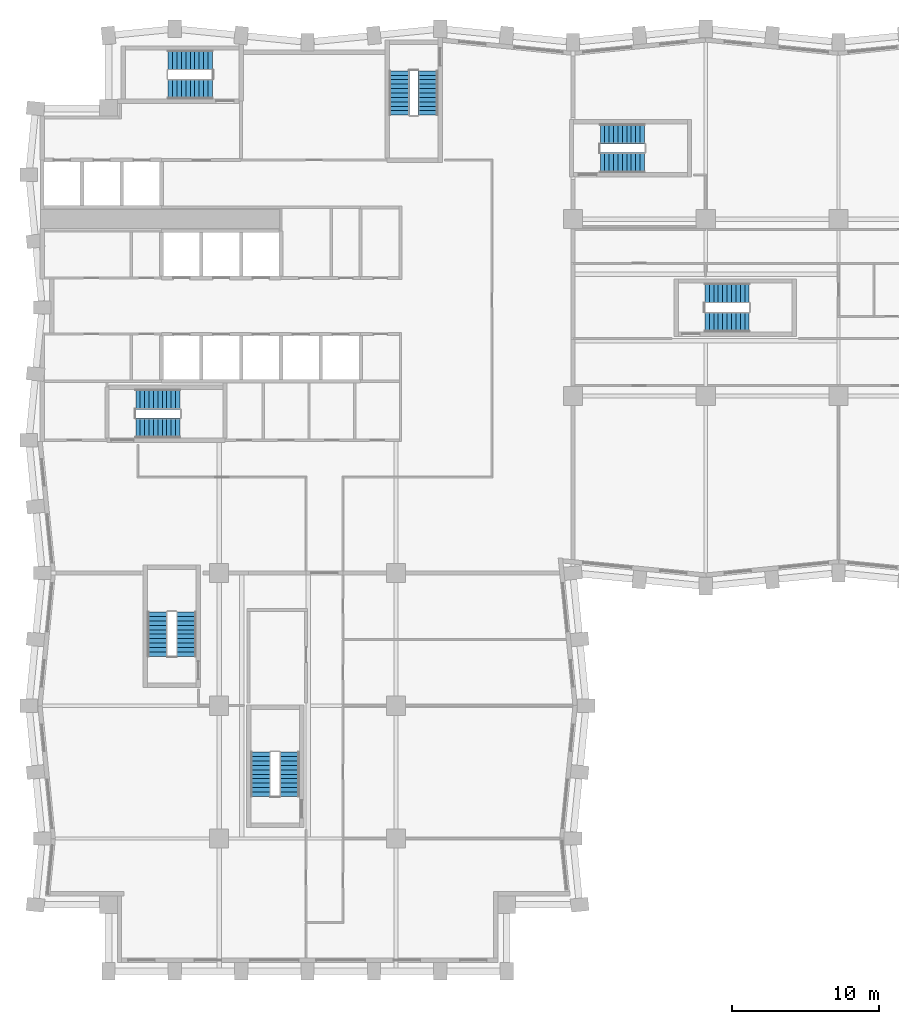
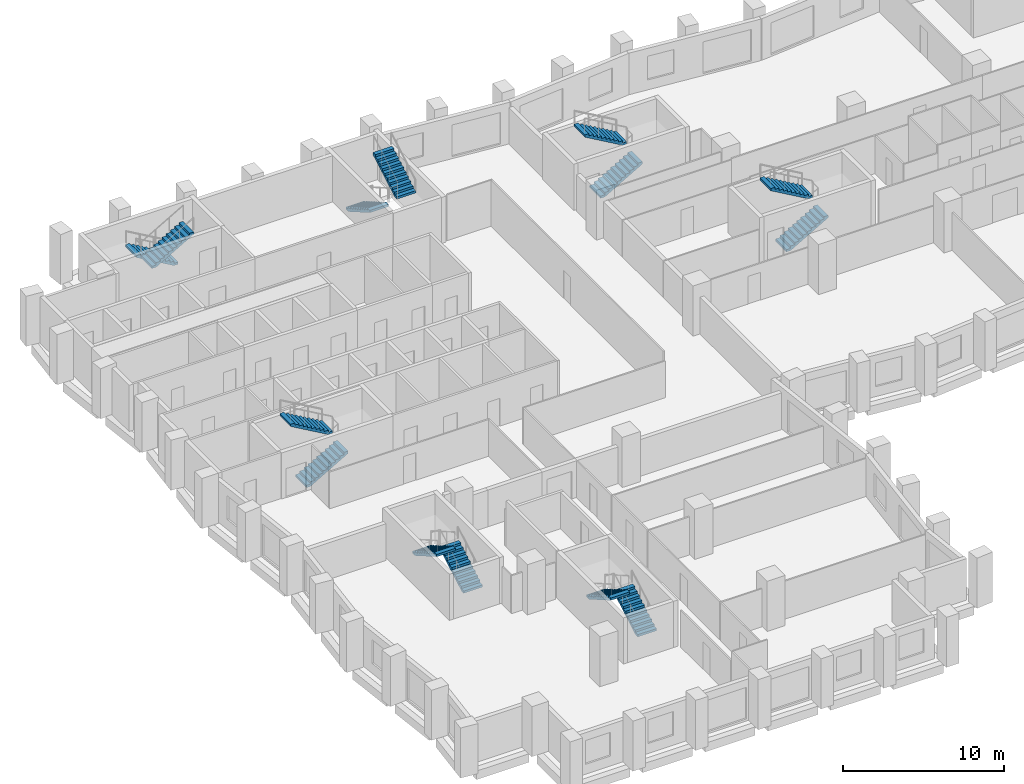
# One storey, part 9 of 11: 14 stair flights, 7 elements without a shape of their own.
"""IFC4 building model written with IfcOpenShell, lengths in metres."""

import ifcopenshell
import ifcopenshell.guid

model = None  # the IFC model being written
_history = None  # IfcOwnerHistory: only IFC2X3 demands one
_inside = {}  # id of a spatial element -> (the spatial element, [elements in it])
_under = {}  # id of a project, library or spatial element -> (it, [spatial elements below it])
_declared = {}  # id of a project -> (the project, [libraries it declares])
_typed = {}  # id of a type object -> (the type object, [elements of that type])
_made_of = {}  # id of a material, layer set ... -> (it, [elements and type objects made of it])


def new_model(schema):
    """Start an empty IFC model of exactly this schema.

    Asked for "IFC4X3", IfcOpenShell would pick the latest addendum, in which some entities
    have other attributes; the version numbers below select the first issue.
    IFC2X3 requires an IfcOwnerHistory on every rooted entity: one is made here for all.
    """
    global model, _history
    if schema == "IFC4X3":
        model = ifcopenshell.file(schema_version=(4, 3, 0, 0))
    else:
        model = ifcopenshell.file(schema=schema)
    _inside.clear()
    _under.clear()
    _declared.clear()
    _typed.clear()
    _made_of.clear()
    _history = None
    if model.schema == "IFC2X3":
        org = make("IfcOrganization", Name="unknown")
        user = make(
            "IfcPersonAndOrganization",
            ThePerson=make("IfcPerson", FamilyName="unknown"),
            TheOrganization=org,
        )
        app = make(
            "IfcApplication",
            ApplicationDeveloper=org,
            Version="unknown",
            ApplicationFullName="unknown",
            ApplicationIdentifier="unknown",
        )
        _history = make(
            "IfcOwnerHistory",
            OwningUser=user,
            OwningApplication=app,
            ChangeAction="ADDED",
            CreationDate=0,
        )
    return model


def make(cls, **values):
    """One entity of the class cls with the attributes given. An attribute that is None is left unset."""
    return model.create_entity(
        cls, **{name: value for name, value in values.items() if value is not None}
    )


def rooted(cls, **values):
    """An entity with a GlobalId (a new one), such as an element, a storey or a relation."""
    return make(cls, GlobalId=ifcopenshell.guid.new(), OwnerHistory=_history, **values)


def si_unit(unit_type, name, prefix=None):
    """IfcSIUnit, for example si_unit("LENGTHUNIT", "METRE", prefix="MILLI")."""
    return make("IfcSIUnit", UnitType=unit_type, Prefix=prefix, Name=name)


def assignment(units):
    """IfcUnitAssignment: the units of a project."""
    return None if units is None else make("IfcUnitAssignment", Units=units)


def point(xyz):
    """IfcCartesianPoint."""
    return None if xyz is None else make("IfcCartesianPoint", Coordinates=xyz)


def direction(xyz):
    """IfcDirection."""
    return None if xyz is None else make("IfcDirection", DirectionRatios=xyz)


def frame(location, z_axis=None, x_axis=None):
    """IfcAxis2Placement3D, a coordinate frame: its origin and axes. An axis left out is left unset."""
    return make(
        "IfcAxis2Placement3D",
        Location=point(location),
        Axis=direction(z_axis),
        RefDirection=direction(x_axis),
    )


def origin():
    """The frame at (0, 0, 0) with its axes left unset."""
    return frame((0.0, 0.0, 0.0))


def place(relative_to, where):
    """IfcLocalPlacement: puts the frame where relative to a parent placement (None: the world)."""
    return make(
        "IfcLocalPlacement", PlacementRelTo=relative_to, RelativePlacement=where
    )


def context(
    kind, dimensions, precision=None, world=None, true_north=None, identifier=None
):
    """IfcGeometricRepresentationContext, for example the 3D "Model" context."""
    return make(
        "IfcGeometricRepresentationContext",
        ContextIdentifier=identifier,
        ContextType=kind,
        CoordinateSpaceDimension=dimensions,
        Precision=precision,
        WorldCoordinateSystem=world,
        TrueNorth=true_north,
    )


def subcontext(parent, identifier, kind, view, scale=None):
    """IfcGeometricRepresentationSubContext, for example "Body" below "Model"."""
    return make(
        "IfcGeometricRepresentationSubContext",
        ContextIdentifier=identifier,
        ContextType=kind,
        ParentContext=parent,
        TargetScale=scale,
        TargetView=view,
    )


def project(units=None, contexts=None):
    """IfcProject with its units and contexts."""
    return rooted(
        "IfcProject",
        Name="project",
        RepresentationContexts=contexts,
        UnitsInContext=assignment(units),
    )


def spatial(cls, under=None, at=None, **own):
    """A site, building, storey or space (cls), placed at a placement, below another one or the project."""
    s = rooted(cls, ObjectPlacement=at, **own)
    if under is not None:
        _under.setdefault(under.id(), (under, []))[1].append(s)
    return s


def polyline(points):
    """IfcPolyline through the points."""
    return make("IfcPolyline", Points=[point(p) for p in points])


def outline(outer, holes=None, kind="AREA"):
    """IfcArbitraryClosedProfileDef: a profile drawn as a closed curve; with holes, ...WithVoids."""
    if holes is None:
        return make("IfcArbitraryClosedProfileDef", ProfileType=kind, OuterCurve=outer)
    return make(
        "IfcArbitraryProfileDefWithVoids",
        ProfileType=kind,
        OuterCurve=outer,
        InnerCurves=holes,
    )


def extrude(swept, where, along, depth):
    """IfcExtrudedAreaSolid: the profile swept, set in the frame where, extruded along a direction by depth."""
    return make(
        "IfcExtrudedAreaSolid",
        SweptArea=swept,
        Position=where,
        ExtrudedDirection=direction(along),
        Depth=depth,
    )


def shape(context_of_items, identifier, shape_type, items):
    """IfcShapeRepresentation: the items that make up one representation, for example the "Body"."""
    return make(
        "IfcShapeRepresentation",
        ContextOfItems=context_of_items,
        RepresentationIdentifier=identifier,
        RepresentationType=shape_type,
        Items=items,
    )


def material(Name=None, Category=None):
    """IfcMaterial."""
    return make("IfcMaterial", Name=Name, Category=Category)


def made_of(thing, what):
    """Note that an element or type object is made of a material, layer set ...; save() writes the relation."""
    if what is not None:
        _made_of.setdefault(what.id(), (what, []))[1].append(thing)
    return thing


def type_object(cls, material=None, **own):
    """A type object (cls), such as IfcWallType, which elements share."""
    return made_of(rooted(cls, **own), material)


def element(
    cls,
    number,
    at=None,
    inside=None,
    cuts=None,
    type_object=None,
    material=None,
    context=None,
    identifier="Body",
    shape_type=None,
    held_by="IfcProductDefinitionShape",
    body=None,
    shapes=None,
    **own,
):
    """One element of the class cls, such as IfcWall. Its Tag is "e" and its number.

    at: its placement. inside: the storey or other place that contains it. cuts: it is an
    opening in that element (IfcRelVoidsElement). A single representation is given by context,
    identifier, shape_type and body (its items); several are given by shapes. held_by: the class
    of the entity that holds the representations. save() writes the other relations.
    """
    e = rooted(cls, Tag="e%d" % number, ObjectPlacement=at, **own)
    if body is not None:
        shapes = [shape(context, identifier, shape_type, body)]
    if shapes is not None:
        e.Representation = make(held_by, Representations=shapes)
    if inside is not None:
        _inside.setdefault(inside.id(), (inside, []))[1].append(e)
    if cuts is not None:
        rooted(
            "IfcRelVoidsElement", RelatingBuildingElement=cuts, RelatedOpeningElement=e
        )
    if type_object is not None:
        _typed.setdefault(type_object.id(), (type_object, []))[1].append(e)
    return made_of(e, material)


def aggregate(whole, parts):
    """IfcRelAggregates: a whole, such as a stair, and the parts it consists of."""
    return rooted("IfcRelAggregates", RelatingObject=whole, RelatedObjects=parts)


def save(model, path):
    """Write the relations noted so far, then the file.

    IfcRelAggregates (storeys below a building ...), IfcRelContainedInSpatialStructure (elements
    in a storey), IfcRelDefinesByType, IfcRelAssociatesMaterial and IfcRelDeclares: one each for
    every whole, place, type object, material and project.
    """
    for whole, parts in _under.values():
        aggregate(whole, parts)
    for where, things in _inside.values():
        rooted(
            "IfcRelContainedInSpatialStructure",
            RelatedElements=things,
            RelatingStructure=where,
        )
    for kind, things in _typed.values():
        rooted("IfcRelDefinesByType", RelatedObjects=things, RelatingType=kind)
    for what, things in _made_of.values():
        rooted("IfcRelAssociatesMaterial", RelatedObjects=things, RelatingMaterial=what)
    for by, libraries in _declared.values():
        rooted("IfcRelDeclares", RelatingContext=by, RelatedDefinitions=libraries)
    model.write(path)


model = new_model("IFC4")

# Units and contexts
model_context = context("Model", 3, precision=1e-05, world=origin(), true_north=direction((0.0, 1.0)))
body_context = subcontext(model_context, "Body", "Model", "MODEL_VIEW")
ifc_project = project(units=[si_unit("LENGTHUNIT", "METRE"), si_unit("AREAUNIT", "SQUARE_METRE"), si_unit("VOLUMEUNIT", "CUBIC_METRE"), si_unit("PLANEANGLEUNIT", "RADIAN"), si_unit("MASSUNIT", "GRAM", prefix="KILO")], contexts=[model_context])

# Site, building, storey
site_placement = place(None, origin())
site = spatial("IfcSite", under=ifc_project, at=site_placement, CompositionType="ELEMENT")
building_placement = place(site_placement, origin())
building = spatial("IfcBuilding", under=site, at=building_placement, Name="Brondeck Convention Tower", CompositionType="ELEMENT")
storey_placement = place(building_placement, frame((0.0, 0.0, 107.5)))
storey = spatial("IfcBuildingStorey", under=building, at=storey_placement, Name="L25", CompositionType="ELEMENT", Elevation=107.5)

# Stair, stair flights
ifc_material = material(Name="Precast concrete C50/60", Category="concrete")
stair_type = type_object("IfcStairType", Name="Core stair 22 risers 172.73 mm riser 300 mm going 1350 wide", PredefinedType="HALF_TURN_STAIR", material=ifc_material)
stair_1_placement = place(storey_placement, origin())
stair_1 = element("IfcStair", 1, at=stair_1_placement, inside=storey, type_object=stair_type, Name="ST-1 L25 stair", PredefinedType="HALF_TURN_STAIR")
stair_flight_type = type_object("IfcStairFlightType", Name="Core stair flight 22 risers 172.73 mm riser 300 mm going 1350 wide", PredefinedType="STRAIGHT", material=ifc_material)
stair_flight_1_placement = place(storey_placement, frame((6.35009765625, 36.824951171875, 0.0), z_axis=(0.0, 0.0, 1.0), x_axis=(1.0, 0.0, 0.0)))
stair_flight_1 = element("IfcStairFlight", 2, at=stair_flight_1_placement, type_object=stair_flight_type, Name="ST-1 flight 1", NumberOfRisers=11, NumberOfTreads=10, PredefinedType="STRAIGHT", RiserHeight=0.172727273, TreadLength=0.3, context=body_context, shape_type="SweptSolid", body=[
    extrude(outline(polyline([(0.0, 0.0), (0.0, 0.172607421875), (0.300048828125, 0.172607421875), (0.300048828125, 0.345458984375), (0.60009765625, 0.345458984375), (0.60009765625, 0.51806640625), (0.89990234375, 0.51806640625), (0.89990234375, 0.69091796875), (1.199951171875, 0.69091796875), (1.199951171875, 0.863525390625), (1.5, 0.863525390625), (1.5, 1.036376953125), (1.800048828125, 1.036376953125), (1.800048828125, 1.208984375), (2.10009765625, 1.208984375), (2.10009765625, 1.3818359375), (2.39990234375, 1.3818359375), (2.39990234375, 1.554443359375), (2.699951171875, 1.554443359375), (2.699951171875, 1.727294921875), (3.0, 1.727294921875), (3.0, 1.89990234375), (3.0, 1.55419921875), (0.300537109375, 0.0), (0.0, 0.0)])), frame((0.0, 0.675048828125, 0.0), z_axis=(0.0, -1.0, 0.0), x_axis=(1.0, 0.0, 0.0)), (0.0, 0.0, 1.0), 1.35009765625),
])
stair_flight_2_placement = place(storey_placement, frame((9.35009765625, 38.77490234375, 1.89990234375), z_axis=(0.0, 0.0, 1.0), x_axis=(-1.0, 0.0, 0.0)))
stair_flight_2 = element("IfcStairFlight", 3, at=stair_flight_2_placement, type_object=stair_flight_type, Name="ST-1 flight 2", NumberOfRisers=11, NumberOfTreads=10, PredefinedType="STRAIGHT", RiserHeight=0.172727273, TreadLength=0.3, context=body_context, shape_type="SweptSolid", body=[
    extrude(outline(polyline([(0.0, 0.0), (0.0, 0.172607421875), (0.300048828125, 0.172607421875), (0.300048828125, 0.345458984375), (0.60009765625, 0.345458984375), (0.60009765625, 0.51806640625), (0.89990234375, 0.51806640625), (0.89990234375, 0.69091796875), (1.199951171875, 0.69091796875), (1.199951171875, 0.863525390625), (1.5, 0.863525390625), (1.5, 1.036376953125), (1.800048828125, 1.036376953125), (1.800048828125, 1.208984375), (2.10009765625, 1.208984375), (2.10009765625, 1.3818359375), (2.39990234375, 1.3818359375), (2.39990234375, 1.554443359375), (2.699951171875, 1.554443359375), (2.699951171875, 1.727294921875), (3.0, 1.727294921875), (3.0, 1.89990234375), (3.0, 1.55419921875), (0.300537109375, 0.0), (0.0, 0.0)])), frame((0.0, 0.675048828125, 0.0), z_axis=(0.0, -1.0, 0.0), x_axis=(1.0, 0.0, 0.0)), (0.0, 0.0, 1.0), 1.35009765625),
])
aggregate(stair_1, [stair_flight_1, stair_flight_2])

stair_2_placement = place(storey_placement, origin())
stair_2 = element("IfcStair", 4, at=stair_2_placement, inside=storey, type_object=stair_type, Name="ST-2 L25 stair", PredefinedType="HALF_TURN_STAIR")
stair_flight_3_placement = place(storey_placement, frame((24.22509765625, 61.050048828125, 0.0), z_axis=(0.0, 0.0, 1.0), x_axis=(0.0, -1.0, 0.0)))
stair_flight_3 = element("IfcStairFlight", 5, at=stair_flight_3_placement, type_object=stair_flight_type, Name="ST-2 flight 1", NumberOfRisers=11, NumberOfTreads=10, PredefinedType="STRAIGHT", RiserHeight=0.172727273, TreadLength=0.3, context=body_context, shape_type="SweptSolid", body=[
    extrude(outline(polyline([(0.0, 0.0), (0.0, 0.172607421875), (0.300048828125, 0.172607421875), (0.300048828125, 0.345458984375), (0.60009765625, 0.345458984375), (0.60009765625, 0.51806640625), (0.89990234375, 0.51806640625), (0.89990234375, 0.69091796875), (1.199951171875, 0.69091796875), (1.199951171875, 0.863525390625), (1.5, 0.863525390625), (1.5, 1.036376953125), (1.800048828125, 1.036376953125), (1.800048828125, 1.208984375), (2.10009765625, 1.208984375), (2.10009765625, 1.3818359375), (2.39990234375, 1.3818359375), (2.39990234375, 1.554443359375), (2.699951171875, 1.554443359375), (2.699951171875, 1.727294921875), (3.0, 1.727294921875), (3.0, 1.89990234375), (3.0, 1.55419921875), (0.300537109375, 0.0), (0.0, 0.0)])), frame((0.0, 0.675048828125, 0.0), z_axis=(0.0, -1.0, 0.0), x_axis=(1.0, 0.0, 0.0)), (0.0, 0.0, 1.0), 1.35009765625),
])
stair_flight_4_placement = place(storey_placement, frame((26.175048828125, 58.050048828125, 1.89990234375), z_axis=(0.0, 0.0, 1.0), x_axis=(0.0, 1.0, 0.0)))
stair_flight_4 = element("IfcStairFlight", 6, at=stair_flight_4_placement, type_object=stair_flight_type, Name="ST-2 flight 2", NumberOfRisers=11, NumberOfTreads=10, PredefinedType="STRAIGHT", RiserHeight=0.172727273, TreadLength=0.3, context=body_context, shape_type="SweptSolid", body=[
    extrude(outline(polyline([(0.0, 0.0), (0.0, 0.172607421875), (0.300048828125, 0.172607421875), (0.300048828125, 0.345458984375), (0.60009765625, 0.345458984375), (0.60009765625, 0.51806640625), (0.89990234375, 0.51806640625), (0.89990234375, 0.69091796875), (1.199951171875, 0.69091796875), (1.199951171875, 0.863525390625), (1.5, 0.863525390625), (1.5, 1.036376953125), (1.800048828125, 1.036376953125), (1.800048828125, 1.208984375), (2.10009765625, 1.208984375), (2.10009765625, 1.3818359375), (2.39990234375, 1.3818359375), (2.39990234375, 1.554443359375), (2.699951171875, 1.554443359375), (2.699951171875, 1.727294921875), (3.0, 1.727294921875), (3.0, 1.89990234375), (3.0, 1.55419921875), (0.300537109375, 0.0), (0.0, 0.0)])), frame((0.0, 0.675048828125, 0.0), z_axis=(0.0, -1.0, 0.0), x_axis=(1.0, 0.0, 0.0)), (0.0, 0.0, 1.0), 1.35009765625),
])
aggregate(stair_2, [stair_flight_3, stair_flight_4])

stair_3_placement = place(storey_placement, origin())
stair_3 = element("IfcStair", 7, at=stair_3_placement, inside=storey, type_object=stair_type, Name="ST-3 L25 stair", PredefinedType="HALF_TURN_STAIR")
stair_flight_5_placement = place(storey_placement, frame((11.550048828125, 61.77490234375, 0.0), z_axis=(0.0, 0.0, 1.0), x_axis=(-1.0, 0.0, 0.0)))
stair_flight_5 = element("IfcStairFlight", 8, at=stair_flight_5_placement, type_object=stair_flight_type, Name="ST-3 flight 1", NumberOfRisers=11, NumberOfTreads=10, PredefinedType="STRAIGHT", RiserHeight=0.172727273, TreadLength=0.3, context=body_context, shape_type="SweptSolid", body=[
    extrude(outline(polyline([(0.0, 0.0), (0.0, 0.172607421875), (0.300048828125, 0.172607421875), (0.300048828125, 0.345458984375), (0.60009765625, 0.345458984375), (0.60009765625, 0.51806640625), (0.89990234375, 0.51806640625), (0.89990234375, 0.69091796875), (1.199951171875, 0.69091796875), (1.199951171875, 0.863525390625), (1.5, 0.863525390625), (1.5, 1.036376953125), (1.800048828125, 1.036376953125), (1.800048828125, 1.208984375), (2.10009765625, 1.208984375), (2.10009765625, 1.3818359375), (2.39990234375, 1.3818359375), (2.39990234375, 1.554443359375), (2.699951171875, 1.554443359375), (2.699951171875, 1.727294921875), (3.0, 1.727294921875), (3.0, 1.89990234375), (3.0, 1.55419921875), (0.300537109375, 0.0), (0.0, 0.0)])), frame((0.0, 0.675048828125, 0.0), z_axis=(0.0, -1.0, 0.0), x_axis=(1.0, 0.0, 0.0)), (0.0, 0.0, 1.0), 1.35009765625),
])
stair_flight_6_placement = place(storey_placement, frame((8.550048828125, 59.824951171875, 1.89990234375), z_axis=(0.0, 0.0, 1.0), x_axis=(1.0, 0.0, 0.0)))
stair_flight_6 = element("IfcStairFlight", 9, at=stair_flight_6_placement, type_object=stair_flight_type, Name="ST-3 flight 2", NumberOfRisers=11, NumberOfTreads=10, PredefinedType="STRAIGHT", RiserHeight=0.172727273, TreadLength=0.3, context=body_context, shape_type="SweptSolid", body=[
    extrude(outline(polyline([(0.0, 0.0), (0.0, 0.172607421875), (0.300048828125, 0.172607421875), (0.300048828125, 0.345458984375), (0.60009765625, 0.345458984375), (0.60009765625, 0.51806640625), (0.89990234375, 0.51806640625), (0.89990234375, 0.69091796875), (1.199951171875, 0.69091796875), (1.199951171875, 0.863525390625), (1.5, 0.863525390625), (1.5, 1.036376953125), (1.800048828125, 1.036376953125), (1.800048828125, 1.208984375), (2.10009765625, 1.208984375), (2.10009765625, 1.3818359375), (2.39990234375, 1.3818359375), (2.39990234375, 1.554443359375), (2.699951171875, 1.554443359375), (2.699951171875, 1.727294921875), (3.0, 1.727294921875), (3.0, 1.89990234375), (3.0, 1.55419921875), (0.300537109375, 0.0), (0.0, 0.0)])), frame((0.0, 0.675048828125, 0.0), z_axis=(0.0, -1.0, 0.0), x_axis=(1.0, 0.0, 0.0)), (0.0, 0.0, 1.0), 1.35009765625),
])
aggregate(stair_3, [stair_flight_5, stair_flight_6])

stair_4_placement = place(storey_placement, origin())
stair_4 = element("IfcStair", 10, at=stair_4_placement, inside=storey, type_object=stair_type, Name="ST-AE L25 stair", PredefinedType="HALF_TURN_STAIR")
stair_flight_7_placement = place(storey_placement, frame((37.85009765625, 54.824951171875, 0.0), z_axis=(0.0, 0.0, 1.0), x_axis=(1.0, 0.0, 0.0)))
stair_flight_7 = element("IfcStairFlight", 11, at=stair_flight_7_placement, type_object=stair_flight_type, Name="ST-AE flight 1", NumberOfRisers=11, NumberOfTreads=10, PredefinedType="STRAIGHT", RiserHeight=0.172727273, TreadLength=0.3, context=body_context, shape_type="SweptSolid", body=[
    extrude(outline(polyline([(0.0, 0.0), (0.0, 0.172607421875), (0.300048828125, 0.172607421875), (0.300048828125, 0.345458984375), (0.60009765625, 0.345458984375), (0.60009765625, 0.51806640625), (0.89990234375, 0.51806640625), (0.89990234375, 0.69091796875), (1.199951171875, 0.69091796875), (1.199951171875, 0.863525390625), (1.5, 0.863525390625), (1.5, 1.036376953125), (1.800048828125, 1.036376953125), (1.800048828125, 1.208984375), (2.10009765625, 1.208984375), (2.10009765625, 1.3818359375), (2.39990234375, 1.3818359375), (2.39990234375, 1.554443359375), (2.699951171875, 1.554443359375), (2.699951171875, 1.727294921875), (3.0, 1.727294921875), (3.0, 1.89990234375), (3.0, 1.55419921875), (0.300537109375, 0.0), (0.0, 0.0)])), frame((0.0, 0.675048828125, 0.0), z_axis=(0.0, -1.0, 0.0), x_axis=(1.0, 0.0, 0.0)), (0.0, 0.0, 1.0), 1.35009765625),
])
stair_flight_8_placement = place(storey_placement, frame((40.85009765625, 56.77490234375, 1.89990234375), z_axis=(0.0, 0.0, 1.0), x_axis=(-1.0, 0.0, 0.0)))
stair_flight_8 = element("IfcStairFlight", 12, at=stair_flight_8_placement, type_object=stair_flight_type, Name="ST-AE flight 2", NumberOfRisers=11, NumberOfTreads=10, PredefinedType="STRAIGHT", RiserHeight=0.172727273, TreadLength=0.3, context=body_context, shape_type="SweptSolid", body=[
    extrude(outline(polyline([(0.0, 0.0), (0.0, 0.172607421875), (0.300048828125, 0.172607421875), (0.300048828125, 0.345458984375), (0.60009765625, 0.345458984375), (0.60009765625, 0.51806640625), (0.89990234375, 0.51806640625), (0.89990234375, 0.69091796875), (1.199951171875, 0.69091796875), (1.199951171875, 0.863525390625), (1.5, 0.863525390625), (1.5, 1.036376953125), (1.800048828125, 1.036376953125), (1.800048828125, 1.208984375), (2.10009765625, 1.208984375), (2.10009765625, 1.3818359375), (2.39990234375, 1.3818359375), (2.39990234375, 1.554443359375), (2.699951171875, 1.554443359375), (2.699951171875, 1.727294921875), (3.0, 1.727294921875), (3.0, 1.89990234375), (3.0, 1.55419921875), (0.300537109375, 0.0), (0.0, 0.0)])), frame((0.0, 0.675048828125, 0.0), z_axis=(0.0, -1.0, 0.0), x_axis=(1.0, 0.0, 0.0)), (0.0, 0.0, 1.0), 1.35009765625),
])
aggregate(stair_4, [stair_flight_7, stair_flight_8])

stair_5_placement = place(storey_placement, origin())
stair_5 = element("IfcStair", 13, at=stair_5_placement, inside=storey, type_object=stair_type, Name="ST-BE L25 stair", PredefinedType="HALF_TURN_STAIR")
stair_flight_9_placement = place(storey_placement, frame((9.77490234375, 21.35009765625, 0.0), z_axis=(0.0, 0.0, 1.0), x_axis=(0.0, 1.0, 0.0)))
stair_flight_9 = element("IfcStairFlight", 14, at=stair_flight_9_placement, type_object=stair_flight_type, Name="ST-BE flight 1", NumberOfRisers=11, NumberOfTreads=10, PredefinedType="STRAIGHT", RiserHeight=0.172727273, TreadLength=0.3, context=body_context, shape_type="SweptSolid", body=[
    extrude(outline(polyline([(0.0, 0.0), (0.0, 0.172607421875), (0.300048828125, 0.172607421875), (0.300048828125, 0.345458984375), (0.60009765625, 0.345458984375), (0.60009765625, 0.51806640625), (0.89990234375, 0.51806640625), (0.89990234375, 0.69091796875), (1.199951171875, 0.69091796875), (1.199951171875, 0.863525390625), (1.5, 0.863525390625), (1.5, 1.036376953125), (1.800048828125, 1.036376953125), (1.800048828125, 1.208984375), (2.10009765625, 1.208984375), (2.10009765625, 1.3818359375), (2.39990234375, 1.3818359375), (2.39990234375, 1.554443359375), (2.699951171875, 1.554443359375), (2.699951171875, 1.727294921875), (3.0, 1.727294921875), (3.0, 1.89990234375), (3.0, 1.55419921875), (0.300537109375, 0.0), (0.0, 0.0)])), frame((0.0, 0.675048828125, 0.0), z_axis=(0.0, -1.0, 0.0), x_axis=(1.0, 0.0, 0.0)), (0.0, 0.0, 1.0), 1.35009765625),
])
stair_flight_10_placement = place(storey_placement, frame((7.824951171875, 24.35009765625, 1.89990234375), z_axis=(0.0, 0.0, 1.0), x_axis=(0.0, -1.0, 0.0)))
stair_flight_10 = element("IfcStairFlight", 15, at=stair_flight_10_placement, type_object=stair_flight_type, Name="ST-BE flight 2", NumberOfRisers=11, NumberOfTreads=10, PredefinedType="STRAIGHT", RiserHeight=0.172727273, TreadLength=0.3, context=body_context, shape_type="SweptSolid", body=[
    extrude(outline(polyline([(0.0, 0.0), (0.0, 0.172607421875), (0.300048828125, 0.172607421875), (0.300048828125, 0.345458984375), (0.60009765625, 0.345458984375), (0.60009765625, 0.51806640625), (0.89990234375, 0.51806640625), (0.89990234375, 0.69091796875), (1.199951171875, 0.69091796875), (1.199951171875, 0.863525390625), (1.5, 0.863525390625), (1.5, 1.036376953125), (1.800048828125, 1.036376953125), (1.800048828125, 1.208984375), (2.10009765625, 1.208984375), (2.10009765625, 1.3818359375), (2.39990234375, 1.3818359375), (2.39990234375, 1.554443359375), (2.699951171875, 1.554443359375), (2.699951171875, 1.727294921875), (3.0, 1.727294921875), (3.0, 1.89990234375), (3.0, 1.55419921875), (0.300537109375, 0.0), (0.0, 0.0)])), frame((0.0, 0.675048828125, 0.0), z_axis=(0.0, -1.0, 0.0), x_axis=(1.0, 0.0, 0.0)), (0.0, 0.0, 1.0), 1.35009765625),
])
aggregate(stair_5, [stair_flight_9, stair_flight_10])

stair_6_placement = place(storey_placement, origin())
stair_6 = element("IfcStair", 16, at=stair_6_placement, inside=storey, type_object=stair_type, Name="ST-AF L25 stair", PredefinedType="HALF_TURN_STAIR")
stair_flight_11_placement = place(storey_placement, frame((44.949951171875, 44.02490234375, 0.0), z_axis=(0.0, 0.0, 1.0), x_axis=(1.0, 0.0, 0.0)))
stair_flight_11 = element("IfcStairFlight", 17, at=stair_flight_11_placement, type_object=stair_flight_type, Name="ST-AF flight 1", NumberOfRisers=11, NumberOfTreads=10, PredefinedType="STRAIGHT", RiserHeight=0.172727273, TreadLength=0.3, context=body_context, shape_type="SweptSolid", body=[
    extrude(outline(polyline([(0.0, 0.0), (0.0, 0.172607421875), (0.300048828125, 0.172607421875), (0.300048828125, 0.345458984375), (0.60009765625, 0.345458984375), (0.60009765625, 0.51806640625), (0.89990234375, 0.51806640625), (0.89990234375, 0.69091796875), (1.199951171875, 0.69091796875), (1.199951171875, 0.863525390625), (1.5, 0.863525390625), (1.5, 1.036376953125), (1.800048828125, 1.036376953125), (1.800048828125, 1.208984375), (2.10009765625, 1.208984375), (2.10009765625, 1.3818359375), (2.39990234375, 1.3818359375), (2.39990234375, 1.554443359375), (2.699951171875, 1.554443359375), (2.699951171875, 1.727294921875), (3.0, 1.727294921875), (3.0, 1.89990234375), (3.0, 1.55419921875), (0.300537109375, 0.0), (0.0, 0.0)])), frame((0.0, 0.675048828125, 0.0), z_axis=(0.0, -1.0, 0.0), x_axis=(1.0, 0.0, 0.0)), (0.0, 0.0, 1.0), 1.35009765625),
])
stair_flight_12_placement = place(storey_placement, frame((47.949951171875, 45.97509765625, 1.89990234375), z_axis=(0.0, 0.0, 1.0), x_axis=(-1.0, 0.0, 0.0)))
stair_flight_12 = element("IfcStairFlight", 18, at=stair_flight_12_placement, type_object=stair_flight_type, Name="ST-AF flight 2", NumberOfRisers=11, NumberOfTreads=10, PredefinedType="STRAIGHT", RiserHeight=0.172727273, TreadLength=0.3, context=body_context, shape_type="SweptSolid", body=[
    extrude(outline(polyline([(0.0, 0.0), (0.0, 0.172607421875), (0.300048828125, 0.172607421875), (0.300048828125, 0.345458984375), (0.60009765625, 0.345458984375), (0.60009765625, 0.51806640625), (0.89990234375, 0.51806640625), (0.89990234375, 0.69091796875), (1.199951171875, 0.69091796875), (1.199951171875, 0.863525390625), (1.5, 0.863525390625), (1.5, 1.036376953125), (1.800048828125, 1.036376953125), (1.800048828125, 1.208984375), (2.10009765625, 1.208984375), (2.10009765625, 1.3818359375), (2.39990234375, 1.3818359375), (2.39990234375, 1.554443359375), (2.699951171875, 1.554443359375), (2.699951171875, 1.727294921875), (3.0, 1.727294921875), (3.0, 1.89990234375), (3.0, 1.55419921875), (0.300537109375, 0.0), (0.0, 0.0)])), frame((0.0, 0.675048828125, 0.0), z_axis=(0.0, -1.0, 0.0), x_axis=(1.0, 0.0, 0.0)), (0.0, 0.0, 1.0), 1.35009765625),
])
aggregate(stair_6, [stair_flight_11, stair_flight_12])

stair_7_placement = place(storey_placement, origin())
stair_7 = element("IfcStair", 19, at=stair_7_placement, inside=storey, type_object=stair_type, Name="ST-BF L25 stair", PredefinedType="HALF_TURN_STAIR")
stair_flight_13_placement = place(storey_placement, frame((16.77490234375, 11.85009765625, 0.0), z_axis=(0.0, 0.0, 1.0), x_axis=(0.0, 1.0, 0.0)))
stair_flight_13 = element("IfcStairFlight", 20, at=stair_flight_13_placement, type_object=stair_flight_type, Name="ST-BF flight 1", NumberOfRisers=11, NumberOfTreads=10, PredefinedType="STRAIGHT", RiserHeight=0.172727273, TreadLength=0.3, context=body_context, shape_type="SweptSolid", body=[
    extrude(outline(polyline([(0.0, 0.0), (0.0, 0.172607421875), (0.300048828125, 0.172607421875), (0.300048828125, 0.345458984375), (0.60009765625, 0.345458984375), (0.60009765625, 0.51806640625), (0.89990234375, 0.51806640625), (0.89990234375, 0.69091796875), (1.199951171875, 0.69091796875), (1.199951171875, 0.863525390625), (1.5, 0.863525390625), (1.5, 1.036376953125), (1.800048828125, 1.036376953125), (1.800048828125, 1.208984375), (2.10009765625, 1.208984375), (2.10009765625, 1.3818359375), (2.39990234375, 1.3818359375), (2.39990234375, 1.554443359375), (2.699951171875, 1.554443359375), (2.699951171875, 1.727294921875), (3.0, 1.727294921875), (3.0, 1.89990234375), (3.0, 1.55419921875), (0.300537109375, 0.0), (0.0, 0.0)])), frame((0.0, 0.675048828125, 0.0), z_axis=(0.0, -1.0, 0.0), x_axis=(1.0, 0.0, 0.0)), (0.0, 0.0, 1.0), 1.35009765625),
])
stair_flight_14_placement = place(storey_placement, frame((14.824951171875, 14.85009765625, 1.89990234375), z_axis=(0.0, 0.0, 1.0), x_axis=(0.0, -1.0, 0.0)))
stair_flight_14 = element("IfcStairFlight", 21, at=stair_flight_14_placement, type_object=stair_flight_type, Name="ST-BF flight 2", NumberOfRisers=11, NumberOfTreads=10, PredefinedType="STRAIGHT", RiserHeight=0.172727273, TreadLength=0.3, context=body_context, shape_type="SweptSolid", body=[
    extrude(outline(polyline([(0.0, 0.0), (0.0, 0.172607421875), (0.300048828125, 0.172607421875), (0.300048828125, 0.345458984375), (0.60009765625, 0.345458984375), (0.60009765625, 0.51806640625), (0.89990234375, 0.51806640625), (0.89990234375, 0.69091796875), (1.199951171875, 0.69091796875), (1.199951171875, 0.863525390625), (1.5, 0.863525390625), (1.5, 1.036376953125), (1.800048828125, 1.036376953125), (1.800048828125, 1.208984375), (2.10009765625, 1.208984375), (2.10009765625, 1.3818359375), (2.39990234375, 1.3818359375), (2.39990234375, 1.554443359375), (2.699951171875, 1.554443359375), (2.699951171875, 1.727294921875), (3.0, 1.727294921875), (3.0, 1.89990234375), (3.0, 1.55419921875), (0.300537109375, 0.0), (0.0, 0.0)])), frame((0.0, 0.675048828125, 0.0), z_axis=(0.0, -1.0, 0.0), x_axis=(1.0, 0.0, 0.0)), (0.0, 0.0, 1.0), 1.35009765625),
])
aggregate(stair_7, [stair_flight_13, stair_flight_14])

save(model, "model.ifc")
